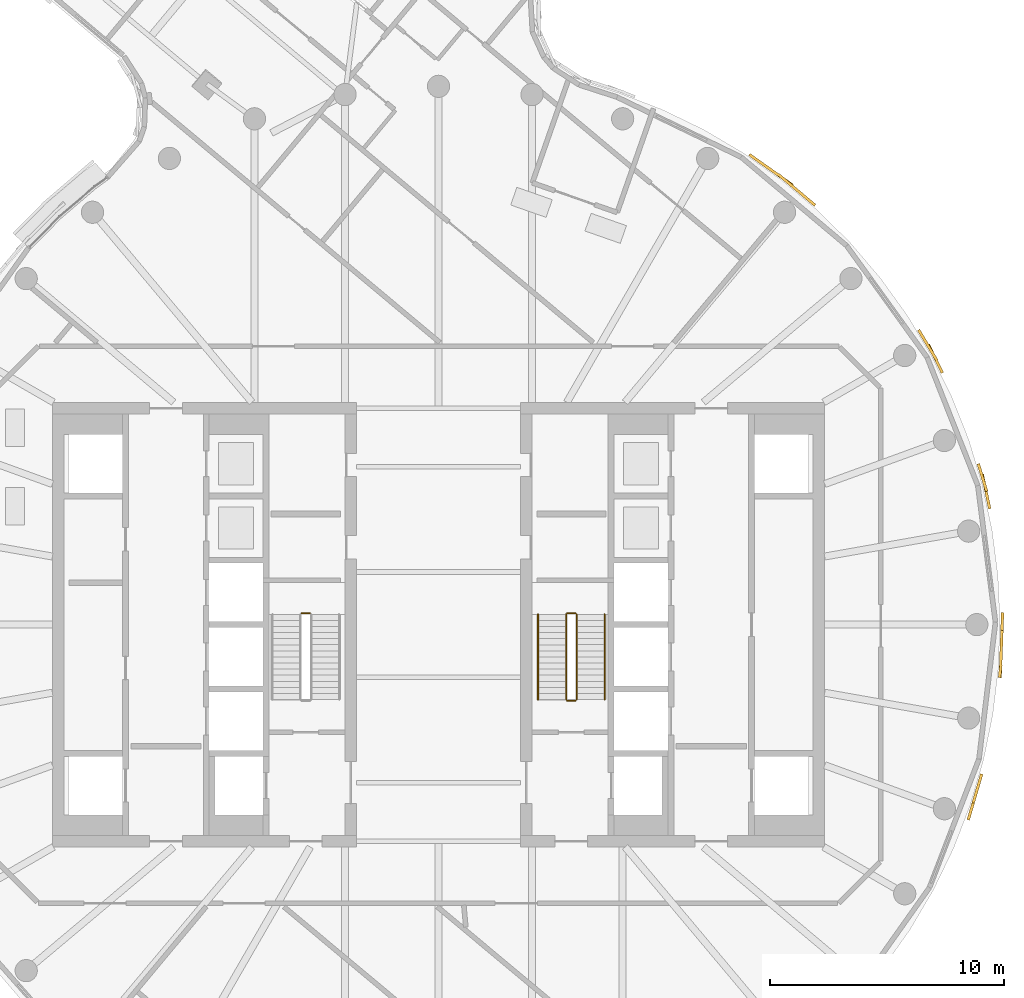
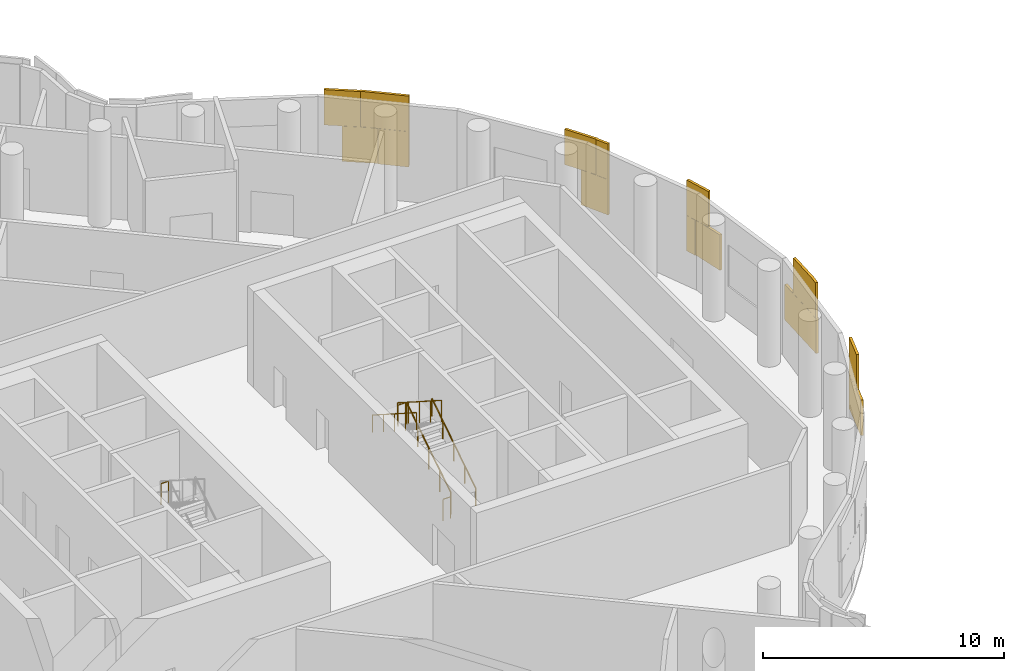
# One storey, part 16 of 19: 7 railings, 4 coverings.
"""IFC4 building model written with IfcOpenShell, lengths in metres."""

from ifc_helpers import new_model, si_unit, direction, frame, origin, origin_2d, place, context, subcontext, project, spatial, rectangle, circle, extrude, material, layer, layer_set, type_object, element, save


model = new_model("IFC4")

# Units and contexts
model_context = context("Model", 3, precision=1e-05, world=origin(), true_north=direction((0.0, 1.0)))
body_context = subcontext(model_context, "Body", "Model", "MODEL_VIEW")
ifc_project = project(units=[si_unit("LENGTHUNIT", "METRE"), si_unit("AREAUNIT", "SQUARE_METRE"), si_unit("VOLUMEUNIT", "CUBIC_METRE"), si_unit("PLANEANGLEUNIT", "RADIAN"), si_unit("MASSUNIT", "GRAM", prefix="KILO")], contexts=[model_context])

# Site, building, storey
site_placement = place(None, origin())
site = spatial("IfcSite", under=ifc_project, at=site_placement, CompositionType="ELEMENT")
building_placement = place(site_placement, origin())
building = spatial("IfcBuilding", under=site, at=building_placement, Name="Tamarind Cross Interchange Tower", CompositionType="ELEMENT")
storey_placement = place(building_placement, frame((0.0, 0.0, 214.89990234375)))
storey = spatial("IfcBuildingStorey", under=building, at=storey_placement, Name="L54", CompositionType="ELEMENT", Elevation=214.89990234375)

# Railings
ifc_material_1 = material(Name="Stair guard")
railing_type_1 = type_object("IfcRailingType", Name="Stair guard", PredefinedType="GUARDRAIL", material=ifc_material_1)
railing_1_placement = place(storey_placement, frame((-5.5, 0.489990234375, 2.5)))
element("IfcRailing", 1, at=railing_1_placement, inside=storey, type_object=railing_type_1, Name="L54 ST1 stair guard 2", PredefinedType="GUARDRAIL", context=body_context, shape_type="SweptSolid", body=[
    extrude(circle(Radius=0.02392578125, at=origin_2d()), frame((0.0, 0.0, 1.076171875), z_axis=(-1.0, 0.0, 0.0), x_axis=(0.0, -1.0, 0.0)), (0.0, 0.0, 1.0), 0.35009765625),
    extrude(circle(Radius=0.02099609375, at=origin_2d()), origin(), (0.0, 0.0, 1.0), 1.052001953125),
    extrude(circle(Radius=0.02099609375, at=origin_2d()), frame((-0.35009765625, 0.0, 0.0)), (0.0, 0.0, 1.0), 1.052001953125),
])
railing_2_placement = place(storey_placement, frame((5.89990234375, -3.199951171875, 0.166748046875)))
element("IfcRailing", 2, at=railing_2_placement, inside=storey, type_object=railing_type_1, Name="L54 ST2 stair guard 1", PredefinedType="GUARDRAIL", context=body_context, shape_type="SweptSolid", body=[
    extrude(circle(Radius=0.02392578125, at=origin_2d()), frame((0.0, 0.0, 1.076171875), z_axis=(0.0, 0.841880454617, 0.539664062296), x_axis=(-1.0, 0.0, 0.0)), (0.0, 0.0, 1.0), 4.323486328125),
    extrude(circle(Radius=0.02099609375, at=origin_2d()), origin(), (0.0, 0.0, 1.0), 1.052001953125),
    extrude(circle(Radius=0.02099609375, at=origin_2d()), frame((0.0, 0.909912109375, 0.583251953125)), (0.0, 0.0, 1.0), 1.052001953125),
    extrude(circle(Radius=0.02099609375, at=origin_2d()), frame((0.0, 1.81982421875, 1.16650390625)), (0.0, 0.0, 1.0), 1.052001953125),
    extrude(circle(Radius=0.02099609375, at=origin_2d()), frame((0.0, 2.72998046875, 1.75)), (0.0, 0.0, 1.0), 1.052001953125),
    extrude(circle(Radius=0.02099609375, at=origin_2d()), frame((0.0, 3.639892578125, 2.333251953125)), (0.0, 0.0, 1.0), 1.052001953125),
])
railing_3_placement = place(storey_placement, frame((5.85009765625, 0.489990234375, 2.5)))
element("IfcRailing", 3, at=railing_3_placement, inside=storey, type_object=railing_type_1, Name="L54 ST2 stair guard 2", PredefinedType="GUARDRAIL", context=body_context, shape_type="SweptSolid", body=[
    extrude(circle(Radius=0.02392578125, at=origin_2d()), frame((0.0, 0.0, 1.076171875), z_axis=(-1.0, 0.0, 0.0), x_axis=(0.0, -1.0, 0.0)), (0.0, 0.0, 1.0), 0.35009765625),
    extrude(circle(Radius=0.02099609375, at=origin_2d()), origin(), (0.0, 0.0, 1.0), 1.052001953125),
    extrude(circle(Radius=0.02099609375, at=origin_2d()), frame((-0.35009765625, 0.0, 0.0)), (0.0, 0.0, 1.0), 1.052001953125),
])
railing_4_placement = place(storey_placement, frame((5.449951171875, 0.43994140625, 2.666748046875)))
element("IfcRailing", 4, at=railing_4_placement, inside=storey, type_object=railing_type_1, Name="L54 ST2 stair guard 3", PredefinedType="GUARDRAIL", context=body_context, shape_type="SweptSolid", body=[
    extrude(circle(Radius=0.02392578125, at=origin_2d()), frame((0.0, 0.0, 1.076171875), z_axis=(0.0, -0.841880454617, 0.539664062296), x_axis=(1.0, 0.0, 0.0)), (0.0, 0.0, 1.0), 4.323486328125),
    extrude(circle(Radius=0.02099609375, at=origin_2d()), origin(), (0.0, 0.0, 1.0), 1.052001953125),
    extrude(circle(Radius=0.02099609375, at=origin_2d()), frame((0.0, -0.909912109375, 0.583251953125)), (0.0, 0.0, 1.0), 1.052001953125),
    extrude(circle(Radius=0.02099609375, at=origin_2d()), frame((0.0, -1.81982421875, 1.16650390625)), (0.0, 0.0, 1.0), 1.052001953125),
    extrude(circle(Radius=0.02099609375, at=origin_2d()), frame((0.0, -2.72998046875, 1.75)), (0.0, 0.0, 1.0), 1.052001953125),
    extrude(circle(Radius=0.02099609375, at=origin_2d()), frame((0.0, -3.639892578125, 2.333251953125)), (0.0, 0.0, 1.0), 1.052001953125),
])
railing_5_placement = place(storey_placement, frame((5.85009765625, -3.25, 0.0)))
element("IfcRailing", 5, at=railing_5_placement, inside=storey, type_object=railing_type_1, Name="L54 ST2 stair guard 4", PredefinedType="GUARDRAIL", context=body_context, shape_type="SweptSolid", body=[
    extrude(circle(Radius=0.02392578125, at=origin_2d()), frame((0.0, 0.0, 1.076171875), z_axis=(-1.0, 0.0, 0.0), x_axis=(0.0, -1.0, 0.0)), (0.0, 0.0, 1.0), 0.35009765625),
    extrude(circle(Radius=0.02099609375, at=origin_2d()), origin(), (0.0, 0.0, 1.0), 1.052001953125),
    extrude(circle(Radius=0.02099609375, at=origin_2d()), frame((-0.35009765625, 0.0, 0.0)), (0.0, 0.0, 1.0), 1.052001953125),
])
ifc_material_2 = material(Name="Stair handrail")
railing_type_2 = type_object("IfcRailingType", Name="Stair handrail", PredefinedType="HANDRAIL", material=ifc_material_2)
railing_6_placement = place(storey_placement, frame((7.10009765625, -3.199951171875, 0.166748046875)))
element("IfcRailing", 6, at=railing_6_placement, inside=storey, type_object=railing_type_2, Name="L54 ST2 stair handrail 1", PredefinedType="HANDRAIL", context=body_context, shape_type="SweptSolid", body=[
    extrude(circle(Radius=0.02392578125, at=origin_2d()), frame((0.0, 0.0, 0.8759765625), z_axis=(0.0, 0.841880454617, 0.539664062296), x_axis=(-1.0, 0.0, 0.0)), (0.0, 0.0, 1.0), 4.323486328125),
    extrude(circle(Radius=0.02099609375, at=origin_2d()), origin(), (0.0, 0.0, 1.0), 0.851806640625),
    extrude(circle(Radius=0.02099609375, at=origin_2d()), frame((0.0, 0.909912109375, 0.583251953125)), (0.0, 0.0, 1.0), 0.851806640625),
    extrude(circle(Radius=0.02099609375, at=origin_2d()), frame((0.0, 1.81982421875, 1.16650390625)), (0.0, 0.0, 1.0), 0.851806640625),
    extrude(circle(Radius=0.02099609375, at=origin_2d()), frame((0.0, 2.72998046875, 1.75)), (0.0, 0.0, 1.0), 0.851806640625),
    extrude(circle(Radius=0.02099609375, at=origin_2d()), frame((0.0, 3.639892578125, 2.333251953125)), (0.0, 0.0, 1.0), 0.851806640625),
])
railing_7_placement = place(storey_placement, frame((4.25, 0.43994140625, 2.666748046875)))
element("IfcRailing", 7, at=railing_7_placement, inside=storey, type_object=railing_type_2, Name="L54 ST2 stair handrail 2", PredefinedType="HANDRAIL", context=body_context, shape_type="SweptSolid", body=[
    extrude(circle(Radius=0.02392578125, at=origin_2d()), frame((0.0, 0.0, 0.8759765625), z_axis=(0.0, -0.841880454617, 0.539664062296), x_axis=(1.0, 0.0, 0.0)), (0.0, 0.0, 1.0), 4.323486328125),
    extrude(circle(Radius=0.02099609375, at=origin_2d()), origin(), (0.0, 0.0, 1.0), 0.851806640625),
    extrude(circle(Radius=0.02099609375, at=origin_2d()), frame((0.0, -0.909912109375, 0.583251953125)), (0.0, 0.0, 1.0), 0.851806640625),
    extrude(circle(Radius=0.02099609375, at=origin_2d()), frame((0.0, -1.81982421875, 1.16650390625)), (0.0, 0.0, 1.0), 0.851806640625),
    extrude(circle(Radius=0.02099609375, at=origin_2d()), frame((0.0, -2.72998046875, 1.75)), (0.0, 0.0, 1.0), 0.851806640625),
    extrude(circle(Radius=0.02099609375, at=origin_2d()), frame((0.0, -3.639892578125, 2.333251953125)), (0.0, 0.0, 1.0), 0.851806640625),
])

# Coverings
ifc_material_3 = material(Name="Terracotta", Category="masonry")
ifc_layer = layer(ifc_material_3, 0.1201171875)
ifc_layer_set = layer_set([ifc_layer], Name="Terracotta")
covering_type = type_object("IfcCoveringType", Name="Terracotta baguette screen unit", PredefinedType="MOLDING", material=ifc_layer_set)
covering_1_placement = place(storey_placement, origin())
element("IfcCovering", 8, at=covering_1_placement, inside=storey, type_object=covering_type, Name="SCR-L54-06-01", PredefinedType="MOLDING", context=body_context, shape_type="SweptSolid", body=[
    extrude(rectangle(XDim=1.52001953125, YDim=0.1201171875, at=origin_2d()), frame((22.8447265625, -7.618896484375, 1.404052734375), z_axis=(0.0, 0.0, 1.0), x_axis=(0.281208920763, 0.95964657186, 0.0)), (0.0, 0.0, 1.0), 1.7919921875),
    extrude(rectangle(XDim=0.544189453125, YDim=0.1201171875, at=origin_2d()), frame((23.130859375, -6.64306640625, 1.404052734375), z_axis=(0.0, 0.0, 1.0), x_axis=(0.281208920763, 0.95964657186, 0.0)), (0.0, 0.0, 1.0), 1.7919921875),
    extrude(rectangle(XDim=1.294189453125, YDim=0.1201171875, at=origin_2d()), frame((23.025390625, -7.0029296875, 3.2041015625), z_axis=(0.0, 0.0, 1.0), x_axis=(0.281208920763, 0.95964657186, 0.0)), (0.0, 0.0, 1.0), 1.7919921875),
])
covering_2_placement = place(storey_placement, origin())
element("IfcCovering", 9, at=covering_2_placement, inside=storey, type_object=covering_type, Name="SCR-L54-06-02", PredefinedType="MOLDING", context=body_context, shape_type="SweptSolid", body=[
    extrude(rectangle(XDim=1.27587890625, YDim=0.1201171875, at=origin_2d()), frame((24.021484375, -1.6328125, 1.404052734375), z_axis=(0.0, 0.0, 1.0), x_axis=(0.037024696392, 0.999314350871, 0.0)), (0.0, 0.0, 1.0), 1.7919921875),
    extrude(rectangle(XDim=1.52001953125, YDim=0.1201171875, at=origin_2d()), frame((24.07275390625, -0.2509765625, 1.404052734375), z_axis=(0.0, 0.0, 1.0), x_axis=(0.037024696392, 0.999314350871, 0.0)), (0.0, 0.0, 1.0), 1.7919921875),
    extrude(rectangle(XDim=1.52001953125, YDim=0.1201171875, at=origin_2d()), frame((23.391845703125, 5.693359375, 1.404052734375), z_axis=(0.0, 0.0, 1.0), x_axis=(-0.209425419705, 0.977824623121, 0.0)), (0.0, 0.0, 1.0), 1.7919921875),
    extrude(rectangle(XDim=0.475830078125, YDim=0.1201171875, at=origin_2d()), frame((23.133544921875, 6.64111328125, 1.404052734375), z_axis=(0.0, 0.0, 1.0), x_axis=(-0.289458243079, 0.957190642199, 0.0)), (0.0, 0.0, 1.0), 1.7919921875),
    extrude(rectangle(XDim=0.52587890625, YDim=0.1201171875, at=origin_2d()), frame((23.99755859375, -2.0068359375, 3.2041015625), z_axis=(0.0, 0.0, 1.0), x_axis=(0.119420963295, 0.992843710523, 0.0)), (0.0, 0.0, 1.0), 1.7919921875),
    extrude(rectangle(XDim=1.52001953125, YDim=0.1201171875, at=origin_2d()), frame((24.044921875, -1.00048828125, 3.2041015625), z_axis=(0.0, 0.0, 1.0), x_axis=(0.037024696392, 0.999314350871, 0.0)), (0.0, 0.0, 1.0), 1.7919921875),
    extrude(rectangle(XDim=1.225830078125, YDim=0.1201171875, at=origin_2d()), frame((23.241943359375, 6.281982421875, 3.2041015625), z_axis=(0.0, 0.0, 1.0), x_axis=(-0.289458243079, 0.957190642199, 0.0)), (0.0, 0.0, 1.0), 1.7919921875),
])
covering_3_placement = place(storey_placement, origin())
element("IfcCovering", 10, at=covering_3_placement, inside=storey, type_object=covering_type, Name="SCR-L54-06-03", PredefinedType="MOLDING", context=body_context, shape_type="SweptSolid", body=[
    extrude(rectangle(XDim=1.34423828125, YDim=0.1201171875, at=origin_2d()), frame((21.229248046875, 11.36083984375, 1.404052734375), z_axis=(0.0, 0.0, 1.0), x_axis=(-0.443058811505, 0.896492548518, 0.0)), (0.0, 0.0, 1.0), 1.7919921875),
    extrude(rectangle(XDim=0.59423828125, YDim=0.1201171875, at=origin_2d()), frame((21.3955078125, 11.024658203125, 3.2041015625), z_axis=(0.0, 0.0, 1.0), x_axis=(-0.443058811505, 0.896492548518, 0.0)), (0.0, 0.0, 1.0), 1.7919921875),
    extrude(rectangle(XDim=1.52001953125, YDim=0.1201171875, at=origin_2d()), frame((20.901123046875, 11.941162109375, 3.2041015625), z_axis=(0.0, 0.0, 1.0), x_axis=(-0.515577308909, 0.856843065292, 0.0)), (0.0, 0.0, 1.0), 1.7919921875),
])
covering_4_placement = place(storey_placement, origin())
element("IfcCovering", 11, at=covering_4_placement, inside=storey, type_object=covering_type, Name="SCR-L54-06-04", PredefinedType="MOLDING", context=body_context, shape_type="SweptSolid", body=[
    extrude(rectangle(XDim=1.301513671875, YDim=0.1201171875, at=origin_2d()), frame((15.591552734375, 18.332275390625, 1.404052734375), z_axis=(0.0, 0.0, 1.0), x_axis=(-0.765858396687, 0.643009266048, 0.0)), (0.0, 0.0, 1.0), 1.7919921875),
    extrude(rectangle(XDim=1.52001953125, YDim=0.1201171875, at=origin_2d()), frame((14.510009765625, 19.213623046875, 1.404052734375), z_axis=(0.0, 0.0, 1.0), x_axis=(-0.816341886298, 0.577568978284, 0.0)), (0.0, 0.0, 1.0), 1.7919921875),
    extrude(rectangle(XDim=0.551513671875, YDim=0.1201171875, at=origin_2d()), frame((15.878662109375, 18.09130859375, 3.2041015625), z_axis=(0.0, 0.0, 1.0), x_axis=(-0.765858396687, 0.643009266048, 0.0)), (0.0, 0.0, 1.0), 1.7919921875),
    extrude(rectangle(XDim=1.52001953125, YDim=0.1201171875, at=origin_2d()), frame((15.096923828125, 18.74755859375, 3.2041015625), z_axis=(0.0, 0.0, 1.0), x_axis=(-0.765858396687, 0.643009266048, 0.0)), (0.0, 0.0, 1.0), 1.7919921875),
    extrude(rectangle(XDim=1.52001953125, YDim=0.1201171875, at=origin_2d()), frame((13.89794921875, 19.646728515625, 3.2041015625), z_axis=(0.0, 0.0, 1.0), x_axis=(-0.816341886298, 0.577568978284, 0.0)), (0.0, 0.0, 1.0), 1.7919921875),
])

save(model, "model.ifc")
